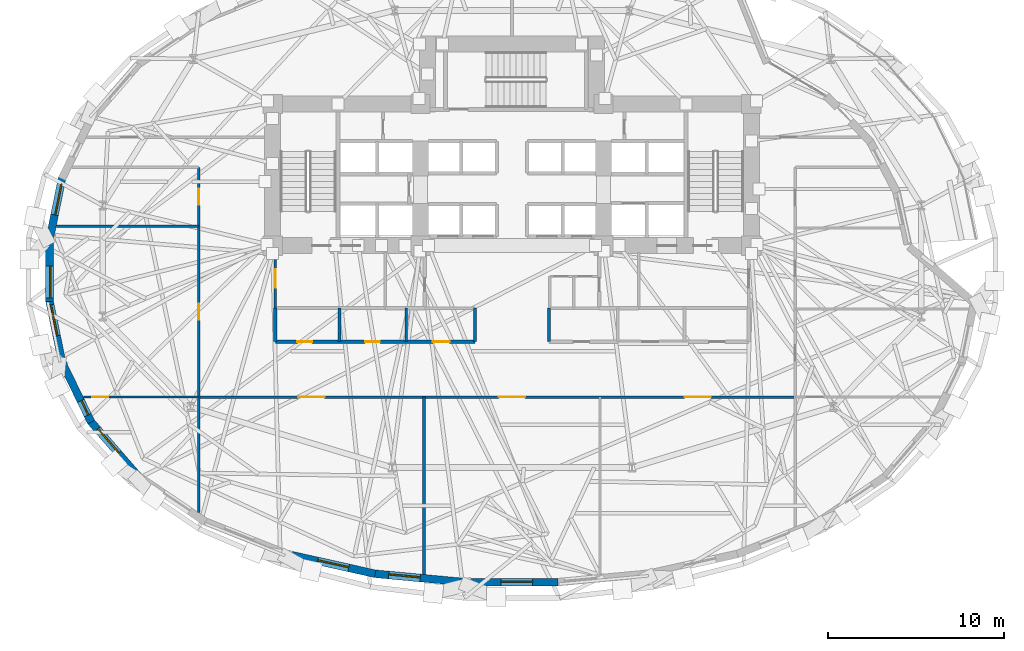
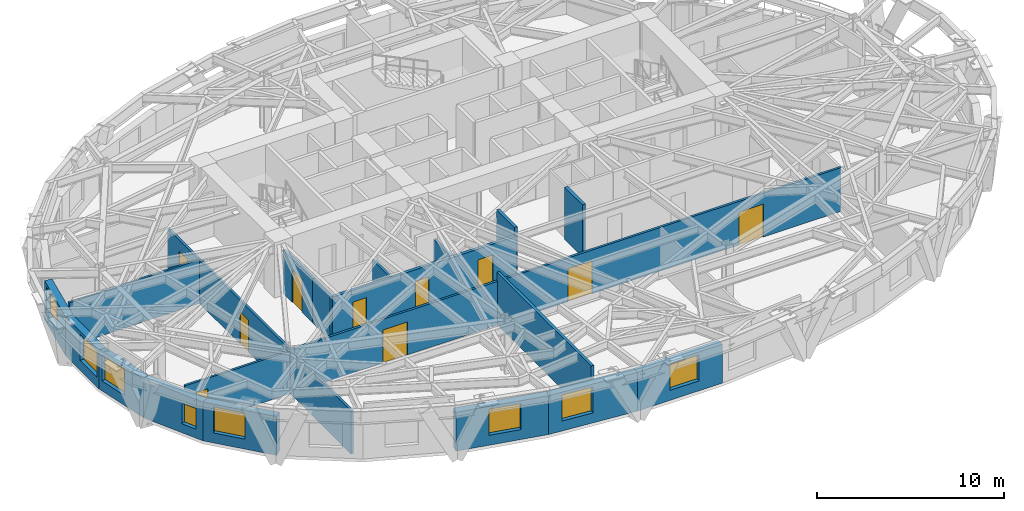
# One storey, part 7 of 15: 20 walls, 10 doors, 8 windows, 18 openings.
"""IFC4 building model written with IfcOpenShell, lengths in metres."""

from ifc_helpers import new_model, si_unit, direction, frame, frame_2d, origin, place, context, subcontext, project, spatial, rectangle, extrude, material, layer, layer_set, type_object, element, fill, save


model = new_model("IFC4")

# Units and contexts
model_context = context("Model", 3, precision=1e-05, world=origin(), true_north=direction((0.0, 1.0)))
body_context = subcontext(model_context, "Body", "Model", "MODEL_VIEW")
ifc_project = project(units=[si_unit("LENGTHUNIT", "METRE"), si_unit("AREAUNIT", "SQUARE_METRE"), si_unit("VOLUMEUNIT", "CUBIC_METRE"), si_unit("PLANEANGLEUNIT", "RADIAN"), si_unit("MASSUNIT", "GRAM", prefix="KILO")], contexts=[model_context])

# Site, building, storey
site_placement = place(None, origin())
site = spatial("IfcSite", under=ifc_project, at=site_placement, CompositionType="ELEMENT")
building_placement = place(site_placement, origin())
building = spatial("IfcBuilding", under=site, at=building_placement, Name="Keldmark Tower", CompositionType="ELEMENT")
storey_placement = place(building_placement, frame((0.0, 0.0, 37.800048828125)))
storey = spatial("IfcBuildingStorey", under=building, at=storey_placement, Name="L09", CompositionType="ELEMENT", Elevation=37.800048828125)

# Wall, openings, doors
ifc_material_1 = material(Name="Acoustic Double-Layer Gypsum Corridor Partition", Category="gypsum")
ifc_layer_1 = layer(ifc_material_1, 0.139892578125)
ifc_layer_set_1 = layer_set([ifc_layer_1], Name="Acoustic Double-Layer Gypsum Corridor Partition")
wall_type_1 = type_object("IfcWallType", Name="Acoustic Corridor Partition 140 mm", PredefinedType="PARTITIONING", material=ifc_layer_set_1)
wall_1_placement = place(storey_placement, frame((-17.800048828125, -7.199951171875, 0.0), z_axis=(0.0, 0.0, 1.0), x_axis=(1.0, 0.0, 0.0)))
wall_1 = element("IfcWall", 1, at=wall_1_placement, inside=storey, type_object=wall_type_1, Name="L09 Acoustic Corridor Partition 140 mm COR-S", PredefinedType="PARTITIONING", context=body_context, shape_type="SweptSolid", body=[
    extrude(rectangle(XDim=33.900146484375, YDim=0.139892578125, at=frame_2d((16.9501953125, 0.0))), origin(), (0.0, 0.0, 1.0), 2.85302734375),
])
opening_1_placement = place(wall_1_placement, frame((5.64990234375, 0.0, 0.0)))
opening_1 = element("IfcOpeningElement", 2, at=opening_1_placement, cuts=wall_1, Name="Opening D-CF150", PredefinedType="OPENING", context=body_context, shape_type="SweptSolid", body=[
    extrude(rectangle(XDim=1.5, YDim=2.14990234375, at=frame_2d((0.75, 1.074951171875))), frame((0.0, 0.079833984375, 0.0), z_axis=(0.0, -1.0, 0.0), x_axis=(1.0, 0.0, 0.0)), (0.0, 0.0, 1.0), 0.159912109375),
])
opening_2_placement = place(wall_1_placement, frame((17.050048828125, 0.0, 0.0)))
opening_2 = element("IfcOpeningElement", 3, at=opening_2_placement, cuts=wall_1, Name="Opening D-CF150", PredefinedType="OPENING", context=body_context, shape_type="SweptSolid", body=[
    extrude(rectangle(XDim=1.5, YDim=2.14990234375, at=frame_2d((0.75, 1.074951171875))), frame((0.0, 0.079833984375, 0.0), z_axis=(0.0, -1.0, 0.0), x_axis=(1.0, 0.0, 0.0)), (0.0, 0.0, 1.0), 0.159912109375),
])
opening_3_placement = place(wall_1_placement, frame((27.60009765625, 0.0, 0.0)))
opening_3 = element("IfcOpeningElement", 4, at=opening_3_placement, cuts=wall_1, Name="Opening D-CF150", PredefinedType="OPENING", context=body_context, shape_type="SweptSolid", body=[
    extrude(rectangle(XDim=1.5, YDim=2.14990234375, at=frame_2d((0.75, 1.074951171875))), frame((0.0, 0.079833984375, 0.0), z_axis=(0.0, -1.0, 0.0), x_axis=(1.0, 0.0, 0.0)), (0.0, 0.0, 1.0), 0.159912109375),
])
ifc_material_2 = material(Name="Acoustic Timber and Tempered Glass Double Door", Category="wood")
door_type_1 = type_object("IfcDoorType", Name="Conference Double Door 1500x2150", OperationType="DOUBLE_DOOR_SINGLE_SWING", PredefinedType="DOOR", material=ifc_material_2)
door_1_placement = place(opening_1_placement, origin())
door_1 = element("IfcDoor", 5, at=door_1_placement, inside=storey, type_object=door_type_1, Name="L09 Conference Double Door 1500x2150 D-SR-1-L09", OperationType="DOUBLE_DOOR_SINGLE_SWING", OverallHeight=2.14990234375, OverallWidth=1.5, PredefinedType="DOOR", context=body_context, shape_type="SweptSolid", body=[
    extrude(rectangle(XDim=1.5, YDim=2.14990234375, at=frame_2d((0.75, 1.074951171875))), frame((0.0, 0.02490234375, 0.0), z_axis=(0.0, -1.0, 0.0), x_axis=(1.0, 0.0, 0.0)), (0.0, 0.0, 1.0), 0.050048828125),
])
fill(opening_1, door_1)
door_2_placement = place(opening_2_placement, origin())
door_2 = element("IfcDoor", 6, at=door_2_placement, inside=storey, type_object=door_type_1, Name="L09 Conference Double Door 1500x2150 D-SR-2-L09", OperationType="DOUBLE_DOOR_SINGLE_SWING", OverallHeight=2.14990234375, OverallWidth=1.5, PredefinedType="DOOR", context=body_context, shape_type="SweptSolid", body=[
    extrude(rectangle(XDim=1.5, YDim=2.14990234375, at=frame_2d((0.75, 1.074951171875))), frame((0.0, 0.02490234375, 0.0), z_axis=(0.0, -1.0, 0.0), x_axis=(1.0, 0.0, 0.0)), (0.0, 0.0, 1.0), 0.050048828125),
])
fill(opening_2, door_2)
door_3_placement = place(opening_3_placement, origin())
door_3 = element("IfcDoor", 7, at=door_3_placement, inside=storey, type_object=door_type_1, Name="L09 Conference Double Door 1500x2150 D-SR-3-L09", OperationType="DOUBLE_DOOR_SINGLE_SWING", OverallHeight=2.14990234375, OverallWidth=1.5, PredefinedType="DOOR", context=body_context, shape_type="SweptSolid", body=[
    extrude(rectangle(XDim=1.5, YDim=2.14990234375, at=frame_2d((0.75, 1.074951171875))), frame((0.0, 0.02490234375, 0.0), z_axis=(0.0, -1.0, 0.0), x_axis=(1.0, 0.0, 0.0)), (0.0, 0.0, 1.0), 0.050048828125),
])
fill(opening_3, door_3)

wall_2_placement = place(storey_placement, frame((-17.800048828125, -13.75732421875, 0.0), z_axis=(0.0, 0.0, 1.0), x_axis=(0.0, 1.0, 0.0)))
wall_2 = element("IfcWall", 8, at=wall_2_placement, inside=storey, type_object=wall_type_1, Name="L09 Acoustic Corridor Partition 140 mm COR-W", PredefinedType="PARTITIONING", context=body_context, shape_type="SweptSolid", body=[
    extrude(rectangle(XDim=19.607421875, YDim=0.139892578125, at=frame_2d((9.8037109375, 0.0))), origin(), (0.0, 0.0, 1.0), 2.841064453125),
])
opening_4_placement = place(wall_2_placement, frame((10.957763671875, 0.0, 0.0)))
opening_4 = element("IfcOpeningElement", 9, at=opening_4_placement, cuts=wall_2, Name="Opening D-IN090", PredefinedType="OPENING", context=body_context, shape_type="SweptSolid", body=[
    extrude(rectangle(XDim=0.89990234375, YDim=2.10009765625, at=frame_2d((0.449951171875, 1.050048828125))), frame((0.0, 0.079833984375, 0.0), z_axis=(0.0, -1.0, 0.0), x_axis=(1.0, 0.0, 0.0)), (0.0, 0.0, 1.0), 0.159912109375),
])
opening_5_placement = place(wall_2_placement, frame((17.482666015625, 0.0, 0.0)))
opening_5 = element("IfcOpeningElement", 10, at=opening_5_placement, cuts=wall_2, Name="Opening D-IN090", PredefinedType="OPENING", context=body_context, shape_type="SweptSolid", body=[
    extrude(rectangle(XDim=0.89990234375, YDim=2.10009765625, at=frame_2d((0.449951171875, 1.050048828125))), frame((0.0, 0.079833984375, 0.0), z_axis=(0.0, -1.0, 0.0), x_axis=(1.0, 0.0, 0.0)), (0.0, 0.0, 1.0), 0.159912109375),
])
ifc_material_3 = material(Name="Stained American White Oak Veneer", Category="wood")
door_type_2 = type_object("IfcDoorType", Name="Interior Door 900x2100", OperationType="NOTDEFINED", PredefinedType="DOOR", material=ifc_material_3)
door_4_placement = place(opening_4_placement, origin())
door_4 = element("IfcDoor", 11, at=door_4_placement, inside=storey, type_object=door_type_2, Name="L09 Interior Door 900x2100 D-WR-1-L09", OperationType="SINGLE_SWING_LEFT", OverallHeight=2.10009765625, OverallWidth=0.89990234375, PredefinedType="DOOR", context=body_context, shape_type="SweptSolid", body=[
    extrude(rectangle(XDim=0.89990234375, YDim=2.10009765625, at=frame_2d((0.449951171875, 1.050048828125))), frame((0.0, 0.02490234375, 0.0), z_axis=(0.0, -1.0, 0.0), x_axis=(1.0, 0.0, 0.0)), (0.0, 0.0, 1.0), 0.050048828125),
])
fill(opening_4, door_4)
door_5_placement = place(opening_5_placement, origin())
door_5 = element("IfcDoor", 12, at=door_5_placement, inside=storey, type_object=door_type_2, Name="L09 Interior Door 900x2100 D-WR-2-L09", OperationType="SINGLE_SWING_RIGHT", OverallHeight=2.10009765625, OverallWidth=0.89990234375, PredefinedType="DOOR", context=body_context, shape_type="SweptSolid", body=[
    extrude(rectangle(XDim=0.89990234375, YDim=2.10009765625, at=frame_2d((0.449951171875, 1.050048828125))), frame((0.0, 0.02490234375, 0.0), z_axis=(0.0, -1.0, 0.0), x_axis=(1.0, 0.0, 0.0)), (0.0, 0.0, 1.0), 0.050048828125),
])
fill(opening_5, door_5)

# Wall
ifc_material_4 = material(Name="STC-58 Insulated Tenant Demising Gypsum Partition", Category="gypsum")
ifc_layer_2 = layer(ifc_material_4, 0.175048828125)
ifc_layer_set_2 = layer_set([ifc_layer_2], Name="STC-58 Insulated Tenant Demising Gypsum Partition")
wall_type_2 = type_object("IfcWallType", Name="Demising Suite Partition 175 mm", PredefinedType="PARTITIONING", material=ifc_layer_set_2)
wall_3_placement = place(storey_placement, frame((-5.0, -17.2734375, 0.0), z_axis=(0.0, 0.0, 1.0), x_axis=(0.0, 1.0, 0.0)))
element("IfcWall", 13, at=wall_3_placement, inside=storey, type_object=wall_type_2, Name="L09 Demising Suite Partition 175 mm S-DIV-1", PredefinedType="PARTITIONING", context=body_context, shape_type="SweptSolid", body=[
    extrude(rectangle(XDim=10.073486328125, YDim=0.175048828125, at=frame_2d((5.03662109375, 0.0))), origin(), (0.0, 0.0, 1.0), 3.39990234375),
])

# Wall, openings, doors
ifc_material_5 = material(Name="Heavy Acoustic Plumbing Chase Gypsum Assembly", Category="gypsum")
ifc_layer_3 = layer(ifc_material_5, 0.18994140625)
ifc_layer_set_3 = layer_set([ifc_layer_3], Name="Heavy Acoustic Plumbing Chase Gypsum Assembly")
wall_type_3 = type_object("IfcWallType", Name="Heavy Wet Wall 190 mm", PredefinedType="PLUMBINGWALL", material=ifc_layer_set_3)
wall_4_placement = place(storey_placement, frame((-13.449951171875, -4.050048828125, 0.0), z_axis=(0.0, 0.0, 1.0), x_axis=(1.0, 0.0, 0.0)))
wall_4 = element("IfcWall", 14, at=wall_4_placement, inside=storey, type_object=wall_type_3, Name="L09 Heavy Wet Wall 190 mm SPK-W-S", PredefinedType="PLUMBINGWALL", context=body_context, shape_type="SweptSolid", body=[
    extrude(rectangle(XDim=11.349853515625, YDim=0.18994140625, at=frame_2d((5.6748046875, 0.0))), origin(), (0.0, 0.0, 1.0), 2.85302734375),
])
opening_6_placement = place(wall_4_placement, frame((1.25, 0.0, 0.0)))
opening_6 = element("IfcOpeningElement", 15, at=opening_6_placement, cuts=wall_4, Name="Opening D-WC085", PredefinedType="OPENING", context=body_context, shape_type="SweptSolid", body=[
    extrude(rectangle(XDim=0.85009765625, YDim=2.10009765625, at=frame_2d((0.425048828125, 1.050048828125))), frame((0.0, 0.10498046875, 0.0), z_axis=(0.0, -1.0, 0.0), x_axis=(1.0, 0.0, 0.0)), (0.0, 0.0, 1.0), 0.2099609375),
])
opening_7_placement = place(wall_4_placement, frame((5.10009765625, 0.0, 0.0)))
opening_7 = element("IfcOpeningElement", 16, at=opening_7_placement, cuts=wall_4, Name="Opening D-WC085", PredefinedType="OPENING", context=body_context, shape_type="SweptSolid", body=[
    extrude(rectangle(XDim=0.85009765625, YDim=2.10009765625, at=frame_2d((0.425048828125, 1.050048828125))), frame((0.0, 0.10498046875, 0.0), z_axis=(0.0, -1.0, 0.0), x_axis=(1.0, 0.0, 0.0)), (0.0, 0.0, 1.0), 0.2099609375),
])
opening_8_placement = place(wall_4_placement, frame((8.949951171875, 0.0, 0.0)))
opening_8 = element("IfcOpeningElement", 17, at=opening_8_placement, cuts=wall_4, Name="Opening D-AWC95", PredefinedType="OPENING", context=body_context, shape_type="SweptSolid", body=[
    extrude(rectangle(XDim=0.949951171875, YDim=2.14990234375, at=frame_2d((0.47509765625, 1.074951171875))), frame((0.0, 0.10498046875, 0.0), z_axis=(0.0, -1.0, 0.0), x_axis=(1.0, 0.0, 0.0)), (0.0, 0.0, 1.0), 0.2099609375),
])
ifc_material_6 = material(Name="Painted Solid-Core Architectural Wood", Category="wood")
door_type_3 = type_object("IfcDoorType", Name="Accessible WC Door 950x2150", OperationType="NOTDEFINED", PredefinedType="DOOR", material=ifc_material_6)
door_6_placement = place(opening_8_placement, origin())
door_6 = element("IfcDoor", 18, at=door_6_placement, inside=storey, type_object=door_type_3, Name="L09 Accessible WC Door 950x2150 D-SPKW3-L09", OperationType="SINGLE_SWING_LEFT", OverallHeight=2.14990234375, OverallWidth=0.949951171875, PredefinedType="DOOR", context=body_context, shape_type="SweptSolid", body=[
    extrude(rectangle(XDim=0.949951171875, YDim=2.14990234375, at=frame_2d((0.47509765625, 1.074951171875))), frame((0.0, 0.02490234375, 0.0), z_axis=(0.0, -1.0, 0.0), x_axis=(1.0, 0.0, 0.0)), (0.0, 0.0, 1.0), 0.050048828125),
])
fill(opening_8, door_6)
ifc_material_7 = material(Name="Moisture-Sealed Painted Wood", Category="wood")
door_type_4 = type_object("IfcDoorType", Name="WC Door 850x2100", OperationType="NOTDEFINED", PredefinedType="DOOR", material=ifc_material_7)
door_7_placement = place(opening_6_placement, origin())
door_7 = element("IfcDoor", 19, at=door_7_placement, inside=storey, type_object=door_type_4, Name="L09 WC Door 850x2100 D-SPKW1-L09", OperationType="SINGLE_SWING_LEFT", OverallHeight=2.10009765625, OverallWidth=0.85009765625, PredefinedType="DOOR", context=body_context, shape_type="SweptSolid", body=[
    extrude(rectangle(XDim=0.85009765625, YDim=2.10009765625, at=frame_2d((0.425048828125, 1.050048828125))), frame((0.0, 0.02490234375, 0.0), z_axis=(0.0, -1.0, 0.0), x_axis=(1.0, 0.0, 0.0)), (0.0, 0.0, 1.0), 0.050048828125),
])
fill(opening_6, door_7)
door_8_placement = place(opening_7_placement, origin())
door_8 = element("IfcDoor", 20, at=door_8_placement, inside=storey, type_object=door_type_4, Name="L09 WC Door 850x2100 D-SPKW2-L09", OperationType="SINGLE_SWING_RIGHT", OverallHeight=2.10009765625, OverallWidth=0.85009765625, PredefinedType="DOOR", context=body_context, shape_type="SweptSolid", body=[
    extrude(rectangle(XDim=0.85009765625, YDim=2.10009765625, at=frame_2d((0.425048828125, 1.050048828125))), frame((0.0, 0.02490234375, 0.0), z_axis=(0.0, -1.0, 0.0), x_axis=(1.0, 0.0, 0.0)), (0.0, 0.0, 1.0), 0.050048828125),
])
fill(opening_7, door_8)

# Walls
wall_5_placement = place(storey_placement, frame((-13.449951171875, -4.050048828125, 0.0), z_axis=(0.0, 0.0, 1.0), x_axis=(0.0, 1.0, 0.0)))
element("IfcWall", 21, at=wall_5_placement, inside=storey, type_object=wall_type_3, Name="L09 Heavy Wet Wall 190 mm SPK-W-W", PredefinedType="PLUMBINGWALL", context=body_context, shape_type="SweptSolid", body=[
    extrude(rectangle(XDim=1.900146484375, YDim=0.18994140625, at=frame_2d((0.9501953125, 0.0))), origin(), (0.0, 0.0, 1.0), 2.85302734375),
])
for number, where, z_axis, x_axis, name in (
    (22, (-2.10009765625, -4.050048828125, 0.0), (0.0, 0.0, 1.0), (0.0, 1.0, 0.0), "L09 Heavy Wet Wall 190 mm SPK-W-E"),
    (23, (2.10009765625, -4.050048828125, 0.0), (0.0, 0.0, 1.0), (0.0, 1.0, 0.0), "L09 Heavy Wet Wall 190 mm SPK-E-W"),
):
    element("IfcWall", number, at=place(storey_placement, frame(where, z_axis=z_axis, x_axis=x_axis)), inside=storey, type_object=wall_type_3, Name=name, PredefinedType="PLUMBINGWALL", context=body_context, shape_type="SweptSolid", body=[
        extrude(rectangle(XDim=1.900146484375, YDim=0.18994140625, at=frame_2d((0.9501953125, 0.0))), origin(), (0.0, 0.0, 1.0), 3.39990234375),
    ])

# Wall, opening, door
ifc_material_8 = material(Name="Acoustic Gypsum Board Interior Partition", Category="gypsum")
ifc_layer_4 = layer(ifc_material_8, 0.1298828125)
ifc_layer_set_4 = layer_set([ifc_layer_4], Name="Acoustic Gypsum Board Interior Partition")
wall_type_4 = type_object("IfcWallType", Name="Interior Partition 130 mm", PredefinedType="PARTITIONING", material=ifc_layer_set_4)
wall_6_placement = place(storey_placement, frame((-24.351318359375, -7.199951171875, 0.0), z_axis=(0.0, 0.0, 1.0), x_axis=(1.0, 0.0, 0.0)))
wall_6 = element("IfcWall", 24, at=wall_6_placement, inside=storey, type_object=wall_type_4, Name="L09 Interior Partition 130 mm W-CAP-S", PredefinedType="PARTITIONING", context=body_context, shape_type="SweptSolid", body=[
    extrude(rectangle(XDim=6.55126953125, YDim=0.1298828125, at=frame_2d((3.275634765625, 0.0))), origin(), (0.0, 0.0, 1.0), 2.779052734375),
])
opening_9_placement = place(wall_6_placement, frame((0.510009765625, 0.0, 0.0)))
opening_9 = element("IfcOpeningElement", 25, at=opening_9_placement, cuts=wall_6, Name="Opening D-IN090", PredefinedType="OPENING", context=body_context, shape_type="SweptSolid", body=[
    extrude(rectangle(XDim=0.89990234375, YDim=2.10009765625, at=frame_2d((0.449951171875, 1.050048828125))), frame((0.0, 0.074951171875, 0.0), z_axis=(0.0, -1.0, 0.0), x_axis=(1.0, 0.0, 0.0)), (0.0, 0.0, 1.0), 0.14990234375),
])
door_9_placement = place(opening_9_placement, origin())
door_9 = element("IfcDoor", 26, at=door_9_placement, inside=storey, type_object=door_type_2, Name="L09 Interior Door 900x2100 D-WRSW-L09", OperationType="SINGLE_SWING_LEFT", OverallHeight=2.10009765625, OverallWidth=0.89990234375, PredefinedType="DOOR", context=body_context, shape_type="SweptSolid", body=[
    extrude(rectangle(XDim=0.89990234375, YDim=2.10009765625, at=frame_2d((0.449951171875, 1.050048828125))), frame((0.0, 0.02490234375, 0.0), z_axis=(0.0, -1.0, 0.0), x_axis=(1.0, 0.0, 0.0)), (0.0, 0.0, 1.0), 0.050048828125),
])
fill(opening_9, door_9)

# Wall
wall_7_placement = place(storey_placement, frame((-25.888671875, 2.5, 0.0), z_axis=(0.0, 0.0, 1.0), x_axis=(1.0, 0.0, 0.0)))
element("IfcWall", 27, at=wall_7_placement, inside=storey, type_object=wall_type_4, Name="L09 Interior Partition 130 mm W-DIV-1", PredefinedType="PARTITIONING", context=body_context, shape_type="SweptSolid", body=[
    extrude(rectangle(XDim=8.088623046875, YDim=0.1298828125, at=frame_2d((4.04443359375, 0.0))), origin(), (0.0, 0.0, 1.0), 2.841064453125),
])

# Wall, opening, door
ifc_material_9 = material(Name="Type X Fire-Rated Gypsum Partition Assembly", Category="gypsum")
ifc_layer_5 = layer(ifc_material_9, 0.1650390625)
ifc_layer_set_5 = layer_set([ifc_layer_5], Name="Type X Fire-Rated Gypsum Partition Assembly")
wall_type_5 = type_object("IfcWallType", Name="Rated Partition 165 mm", PredefinedType="PARTITIONING", material=ifc_layer_set_5)
wall_8_placement = place(storey_placement, frame((-13.449951171875, -2.14990234375, 0.0), z_axis=(0.0, 0.0, 1.0), x_axis=(0.0, 1.0, 0.0)))
wall_8 = element("IfcWall", 28, at=wall_8_placement, inside=storey, type_object=wall_type_5, Name="L09 Rated Partition 165 mm FSAE-W-W", PredefinedType="PARTITIONING", context=body_context, shape_type="SweptSolid", body=[
    extrude(rectangle(XDim=3.14990234375, YDim=0.1650390625, at=frame_2d((1.574951171875, 0.0))), origin(), (0.0, 0.0, 1.0), 2.85302734375),
])
opening_10_placement = place(wall_8_placement, frame((1.14990234375, 0.0, 0.0)))
opening_10 = element("IfcOpeningElement", 29, at=opening_10_placement, cuts=wall_8, Name="Opening D-FL105", PredefinedType="OPENING", context=body_context, shape_type="SweptSolid", body=[
    extrude(rectangle(XDim=1.050048828125, YDim=2.14990234375, at=frame_2d((0.52490234375, 1.074951171875))), frame((0.0, 0.092529296875, 0.0), z_axis=(0.0, -1.0, 0.0), x_axis=(1.0, 0.0, 0.0)), (0.0, 0.0, 1.0), 0.18505859375),
])
ifc_material_10 = material(Name="Fire-Rated Mineral-Core Door and Vision Lite", Category="metal")
door_type_5 = type_object("IfcDoorType", Name="Fire Lobby Door 1050x2150", OperationType="NOTDEFINED", PredefinedType="DOOR", material=ifc_material_10)
door_10_placement = place(opening_10_placement, origin())
door_10 = element("IfcDoor", 30, at=door_10_placement, inside=storey, type_object=door_type_5, Name="L09 Fire Lobby Door 1050x2150 D-FSAEW-OUT-L09", OperationType="SINGLE_SWING_LEFT", OverallHeight=2.14990234375, OverallWidth=1.050048828125, PredefinedType="DOOR", context=body_context, shape_type="SweptSolid", body=[
    extrude(rectangle(XDim=1.050048828125, YDim=2.14990234375, at=frame_2d((0.52490234375, 1.074951171875))), frame((0.0, 0.02490234375, 0.0), z_axis=(0.0, -1.0, 0.0), x_axis=(1.0, 0.0, 0.0)), (0.0, 0.0, 1.0), 0.050048828125),
])
fill(opening_10, door_10)

# Wall, opening, window
ifc_material_11 = material(Name="Ironspot Manganese Brick and Kasota Buff Limestone Spandrel Assembly", Category="masonry")
ifc_layer_6 = layer(ifc_material_11, 0.43994140625)
ifc_layer_set_6 = layer_set([ifc_layer_6], Name="Ironspot Manganese Brick and Kasota Buff Limestone Spandrel Assembly")
wall_type_6 = type_object("IfcWallType", Name="Tower Brick Pier and Spandrel Wall 440 mm", PredefinedType="STANDARD", material=ifc_layer_set_6)
wall_9_placement = place(storey_placement, frame((-26.27978515625, 1.7236328125, 0.0), z_axis=(0.0, 0.0, 1.0), x_axis=(0.199856409009, 0.979825196542, 0.0)))
wall_9 = element("IfcWall", 31, at=wall_9_placement, inside=storey, type_object=wall_type_6, Name="L09 Exterior Brick and Spandrel Wall 15", PredefinedType="STANDARD", context=body_context, shape_type="SweptSolid", body=[
    extrude(rectangle(XDim=3.601318359375, YDim=0.43994140625, at=frame_2d((1.80078125, 0.0))), origin(), (0.0, 0.0, 1.0), 2.532958984375),
])
opening_11_placement = place(wall_9_placement, frame((1.456298828125, 0.0, 0.64990234375)))
opening_11 = element("IfcOpeningElement", 32, at=opening_11_placement, cuts=wall_9, Name="Opening W-02", PredefinedType="OPENING", context=body_context, shape_type="SweptSolid", body=[
    extrude(rectangle(XDim=1.800048828125, YDim=1.699951171875, at=frame_2d((0.89990234375, 0.85009765625))), frame((0.0, 0.22998046875, 0.0), z_axis=(0.0, -1.0, 0.0), x_axis=(1.0, 0.0, 0.0)), (0.0, 0.0, 1.0), 0.4599609375),
])
ifc_material_12 = material(Name="Thermally Broken Anodized Aluminum and Triple Low-E Argon Glazing", Category="aluminium")
window_type_1 = type_object("IfcWindowType", Name="Office Deep-Set Triple Window 1800x1700", PartitioningType="TRIPLE_PANEL_VERTICAL", PredefinedType="WINDOW", material=ifc_material_12)
window_1_placement = place(opening_11_placement, origin())
window_1 = element("IfcWindow", 33, at=window_1_placement, inside=storey, type_object=window_type_1, Name="L09 Deep-Set Window 15", OverallHeight=1.699951171875, OverallWidth=1.800048828125, PartitioningType="SINGLE_PANEL", PredefinedType="WINDOW", context=body_context, shape_type="SweptSolid", body=[
    extrude(rectangle(XDim=1.800048828125, YDim=1.699951171875, at=frame_2d((0.89990234375, 0.85009765625))), frame((0.0, -0.010009765625, 0.0), z_axis=(0.0, -1.0, 0.0), x_axis=(1.0, 0.0, 0.0)), (0.0, 0.0, 1.0), 0.06005859375),
])
fill(opening_11, window_1)

wall_10_placement = place(storey_placement, frame((-26.275390625, -1.767578125, 0.0), z_axis=(0.0, 0.0, 1.0), x_axis=(0.0, 1.0, 0.0)))
wall_10 = element("IfcWall", 34, at=wall_10_placement, inside=storey, type_object=wall_type_6, Name="L09 Exterior Brick and Spandrel Wall 16", PredefinedType="STANDARD", context=body_context, shape_type="SweptSolid", body=[
    extrude(rectangle(XDim=3.53515625, YDim=0.43994140625, at=frame_2d((1.767578125, 0.0))), origin(), (0.0, 0.0, 1.0), 2.532958984375),
])
opening_12_placement = place(wall_10_placement, frame((0.199951171875, 0.0, 0.64990234375)))
opening_12 = element("IfcOpeningElement", 35, at=opening_12_placement, cuts=wall_10, Name="Opening W-02", PredefinedType="OPENING", context=body_context, shape_type="SweptSolid", body=[
    extrude(rectangle(XDim=1.800048828125, YDim=1.699951171875, at=frame_2d((0.89990234375, 0.85009765625))), frame((0.0, 0.22998046875, 0.0), z_axis=(0.0, -1.0, 0.0), x_axis=(1.0, 0.0, 0.0)), (0.0, 0.0, 1.0), 0.4599609375),
])
window_2_placement = place(opening_12_placement, origin())
window_2 = element("IfcWindow", 36, at=window_2_placement, inside=storey, type_object=window_type_1, Name="L09 Deep-Set Window 16", OverallHeight=1.699951171875, OverallWidth=1.800048828125, PartitioningType="SINGLE_PANEL", PredefinedType="WINDOW", context=body_context, shape_type="SweptSolid", body=[
    extrude(rectangle(XDim=1.800048828125, YDim=1.699951171875, at=frame_2d((0.89990234375, 0.85009765625))), frame((0.0, -0.010009765625, 0.0), z_axis=(0.0, -1.0, 0.0), x_axis=(1.0, 0.0, 0.0)), (0.0, 0.0, 1.0), 0.06005859375),
])
fill(opening_12, window_2)

wall_11_placement = place(storey_placement, frame((-25.56005859375, -5.252197265625, 0.0), z_axis=(0.0, 0.0, 1.0), x_axis=(-0.199856409009, 0.979825196542, 0.0)))
wall_11 = element("IfcWall", 37, at=wall_11_placement, inside=storey, type_object=wall_type_6, Name="L09 Exterior Brick and Spandrel Wall 17", PredefinedType="STANDARD", context=body_context, shape_type="SweptSolid", body=[
    extrude(rectangle(XDim=3.601318359375, YDim=0.43994140625, at=frame_2d((1.80078125, 0.0))), origin(), (0.0, 0.0, 1.0), 2.532958984375),
])
opening_13_placement = place(wall_11_placement, frame((1.552978515625, 0.0, 0.64990234375)))
opening_13 = element("IfcOpeningElement", 38, at=opening_13_placement, cuts=wall_11, Name="Opening W-02", PredefinedType="OPENING", context=body_context, shape_type="SweptSolid", body=[
    extrude(rectangle(XDim=1.800048828125, YDim=1.699951171875, at=frame_2d((0.89990234375, 0.85009765625))), frame((0.0, 0.22998046875, 0.0), z_axis=(0.0, -1.0, 0.0), x_axis=(1.0, 0.0, 0.0)), (0.0, 0.0, 1.0), 0.4599609375),
])
window_3_placement = place(opening_13_placement, origin())
window_3 = element("IfcWindow", 39, at=window_3_placement, inside=storey, type_object=window_type_1, Name="L09 Deep-Set Window 17", OverallHeight=1.699951171875, OverallWidth=1.800048828125, PartitioningType="SINGLE_PANEL", PredefinedType="WINDOW", context=body_context, shape_type="SweptSolid", body=[
    extrude(rectangle(XDim=1.800048828125, YDim=1.699951171875, at=frame_2d((0.89990234375, 0.85009765625))), frame((0.0, -0.010009765625, 0.0), z_axis=(0.0, -1.0, 0.0), x_axis=(1.0, 0.0, 0.0)), (0.0, 0.0, 1.0), 0.06005859375),
])
fill(opening_13, window_3)

wall_12_placement = place(storey_placement, frame((-23.908447265625, -8.631591796875, 0.0), z_axis=(0.0, 0.0, 1.0), x_axis=(-0.437488090563, 0.899224204865, 0.0)))
wall_12 = element("IfcWall", 40, at=wall_12_placement, inside=storey, type_object=wall_type_6, Name="L09 Exterior Brick and Spandrel Wall 18", PredefinedType="STANDARD", context=body_context, shape_type="SweptSolid", body=[
    extrude(rectangle(XDim=3.81591796875, YDim=0.43994140625, at=frame_2d((1.907958984375, 0.0))), origin(), (0.0, 0.0, 1.0), 2.532958984375),
])
opening_14_placement = place(wall_12_placement, frame((0.44677734375, 0.0, 0.580078125)))
opening_14 = element("IfcOpeningElement", 41, at=opening_14_placement, cuts=wall_12, Name="Opening W-09", PredefinedType="OPENING", context=body_context, shape_type="SweptSolid", body=[
    extrude(rectangle(XDim=0.89990234375, YDim=1.35009765625, at=frame_2d((0.449951171875, 0.675048828125))), frame((0.0, 0.22998046875, 0.0), z_axis=(0.0, -1.0, 0.0), x_axis=(1.0, 0.0, 0.0)), (0.0, 0.0, 1.0), 0.4599609375),
])
ifc_material_13 = material(Name="Thermally Broken Anodized Aluminum and Triple Low-E Argon Glazing", Category="aluminium")
window_type_2 = type_object("IfcWindowType", Name="Corner Pier Deep-Set Window 900x1350", PartitioningType="SINGLE_PANEL", PredefinedType="WINDOW", material=ifc_material_13)
window_4_placement = place(opening_14_placement, origin())
window_4 = element("IfcWindow", 42, at=window_4_placement, inside=storey, type_object=window_type_2, Name="L09 Deep-Set Window 18", OverallHeight=1.35009765625, OverallWidth=0.89990234375, PartitioningType="SINGLE_PANEL", PredefinedType="WINDOW", context=body_context, shape_type="SweptSolid", body=[
    extrude(rectangle(XDim=0.89990234375, YDim=1.35009765625, at=frame_2d((0.449951171875, 0.675048828125))), frame((0.0, -0.010009765625, 0.0), z_axis=(0.0, -1.0, 0.0), x_axis=(1.0, 0.0, 0.0)), (0.0, 0.0, 1.0), 0.06005859375),
])
fill(opening_14, window_4)

wall_13_placement = place(storey_placement, frame((-21.204345703125, -11.735595703125, 0.0), z_axis=(0.0, 0.0, 1.0), x_axis=(-0.655509370307, 0.755187040037, 0.0)))
wall_13 = element("IfcWall", 43, at=wall_13_placement, inside=storey, type_object=wall_type_6, Name="L09 Exterior Brick and Spandrel Wall 19", PredefinedType="STANDARD", context=body_context, shape_type="SweptSolid", body=[
    extrude(rectangle(XDim=4.173583984375, YDim=0.43994140625, at=frame_2d((2.0869140625, 0.0))), origin(), (0.0, 0.0, 1.0), 2.532958984375),
])
opening_15_placement = place(wall_13_placement, frame((1.779052734375, 0.0, 0.64990234375)))
opening_15 = element("IfcOpeningElement", 44, at=opening_15_placement, cuts=wall_13, Name="Opening W-02", PredefinedType="OPENING", context=body_context, shape_type="SweptSolid", body=[
    extrude(rectangle(XDim=1.800048828125, YDim=1.699951171875, at=frame_2d((0.89990234375, 0.85009765625))), frame((0.0, 0.22998046875, 0.0), z_axis=(0.0, -1.0, 0.0), x_axis=(1.0, 0.0, 0.0)), (0.0, 0.0, 1.0), 0.4599609375),
])
window_5_placement = place(opening_15_placement, origin())
window_5 = element("IfcWindow", 45, at=window_5_placement, inside=storey, type_object=window_type_1, Name="L09 Deep-Set Window 19", OverallHeight=1.699951171875, OverallWidth=1.800048828125, PartitioningType="SINGLE_PANEL", PredefinedType="WINDOW", context=body_context, shape_type="SweptSolid", body=[
    extrude(rectangle(XDim=1.800048828125, YDim=1.699951171875, at=frame_2d((0.89990234375, 0.85009765625))), frame((0.0, -0.010009765625, 0.0), z_axis=(0.0, -1.0, 0.0), x_axis=(1.0, 0.0, 0.0)), (0.0, 0.0, 1.0), 0.06005859375),
])
fill(opening_15, window_5)

wall_14_placement = place(storey_placement, frame((-7.77099609375, -17.244873046875, 0.0), z_axis=(0.0, 0.0, 1.0), x_axis=(-0.975980782399, 0.217856632648, 0.0)))
wall_14 = element("IfcWall", 46, at=wall_14_placement, inside=storey, type_object=wall_type_6, Name="L09 Exterior Brick and Spandrel Wall 22", PredefinedType="STANDARD", context=body_context, shape_type="SweptSolid", body=[
    extrude(rectangle(XDim=5.19091796875, YDim=0.43994140625, at=frame_2d((2.595458984375, 0.0))), origin(), (0.0, 0.0, 1.0), 2.532958984375),
])
opening_16_placement = place(wall_14_placement, frame((1.5458984375, 0.0, 0.64990234375)))
opening_16 = element("IfcOpeningElement", 47, at=opening_16_placement, cuts=wall_14, Name="Opening W-02", PredefinedType="OPENING", context=body_context, shape_type="SweptSolid", body=[
    extrude(rectangle(XDim=1.800048828125, YDim=1.699951171875, at=frame_2d((0.89990234375, 0.85009765625))), frame((0.0, 0.22998046875, 0.0), z_axis=(0.0, -1.0, 0.0), x_axis=(1.0, 0.0, 0.0)), (0.0, 0.0, 1.0), 0.4599609375),
])
window_6_placement = place(opening_16_placement, origin())
window_6 = element("IfcWindow", 48, at=window_6_placement, inside=storey, type_object=window_type_1, Name="L09 Deep-Set Window 22", OverallHeight=1.699951171875, OverallWidth=1.800048828125, PartitioningType="SINGLE_PANEL", PredefinedType="WINDOW", context=body_context, shape_type="SweptSolid", body=[
    extrude(rectangle(XDim=1.800048828125, YDim=1.699951171875, at=frame_2d((0.89990234375, 0.85009765625))), frame((0.0, -0.010009765625, 0.0), z_axis=(0.0, -1.0, 0.0), x_axis=(1.0, 0.0, 0.0)), (0.0, 0.0, 1.0), 0.06005859375),
])
fill(opening_16, window_6)

wall_15_placement = place(storey_placement, frame((-2.589111328125, -17.72802734375, 0.0), z_axis=(0.0, 0.0, 1.0), x_axis=(-0.995649119539, 0.093181708301, 0.0)))
wall_15 = element("IfcWall", 49, at=wall_15_placement, inside=storey, type_object=wall_type_6, Name="L09 Exterior Brick and Spandrel Wall 23", PredefinedType="STANDARD", context=body_context, shape_type="SweptSolid", body=[
    extrude(rectangle(XDim=5.232177734375, YDim=0.43994140625, at=frame_2d((2.6162109375, 0.0))), origin(), (0.0, 0.0, 1.0), 2.532958984375),
])
opening_17_placement = place(wall_15_placement, frame((2.6357421875, 0.0, 0.64990234375)))
opening_17 = element("IfcOpeningElement", 50, at=opening_17_placement, cuts=wall_15, Name="Opening W-02", PredefinedType="OPENING", context=body_context, shape_type="SweptSolid", body=[
    extrude(rectangle(XDim=1.800048828125, YDim=1.699951171875, at=frame_2d((0.89990234375, 0.85009765625))), frame((0.0, 0.22998046875, 0.0), z_axis=(0.0, -1.0, 0.0), x_axis=(1.0, 0.0, 0.0)), (0.0, 0.0, 1.0), 0.4599609375),
])
window_7_placement = place(opening_17_placement, origin())
window_7 = element("IfcWindow", 51, at=window_7_placement, inside=storey, type_object=window_type_1, Name="L09 Deep-Set Window 23", OverallHeight=1.699951171875, OverallWidth=1.800048828125, PartitioningType="SINGLE_PANEL", PredefinedType="WINDOW", context=body_context, shape_type="SweptSolid", body=[
    extrude(rectangle(XDim=1.800048828125, YDim=1.699951171875, at=frame_2d((0.89990234375, 0.85009765625))), frame((0.0, -0.010009765625, 0.0), z_axis=(0.0, -1.0, 0.0), x_axis=(1.0, 0.0, 0.0)), (0.0, 0.0, 1.0), 0.06005859375),
])
fill(opening_17, window_7)

wall_16_placement = place(storey_placement, frame((2.609619140625, -17.72705078125, 0.0), z_axis=(0.0, 0.0, 1.0), x_axis=(-1.0, 0.0, 0.0)))
wall_16 = element("IfcWall", 52, at=wall_16_placement, inside=storey, type_object=wall_type_6, Name="L09 Exterior Brick and Spandrel Wall 24", PredefinedType="STANDARD", context=body_context, shape_type="SweptSolid", body=[
    extrude(rectangle(XDim=5.21923828125, YDim=0.43994140625, at=frame_2d((2.609619140625, 0.0))), origin(), (0.0, 0.0, 1.0), 2.532958984375),
])
opening_18_placement = place(wall_16_placement, frame((1.4375, 0.0, 0.64990234375)))
opening_18 = element("IfcOpeningElement", 53, at=opening_18_placement, cuts=wall_16, Name="Opening W-02", PredefinedType="OPENING", context=body_context, shape_type="SweptSolid", body=[
    extrude(rectangle(XDim=1.800048828125, YDim=1.699951171875, at=frame_2d((0.89990234375, 0.85009765625))), frame((0.0, 0.22998046875, 0.0), z_axis=(0.0, -1.0, 0.0), x_axis=(1.0, 0.0, 0.0)), (0.0, 0.0, 1.0), 0.4599609375),
])
window_8_placement = place(opening_18_placement, origin())
window_8 = element("IfcWindow", 54, at=window_8_placement, inside=storey, type_object=window_type_1, Name="L09 Deep-Set Window 24", OverallHeight=1.699951171875, OverallWidth=1.800048828125, PartitioningType="SINGLE_PANEL", PredefinedType="WINDOW", context=body_context, shape_type="SweptSolid", body=[
    extrude(rectangle(XDim=1.800048828125, YDim=1.699951171875, at=frame_2d((0.89990234375, 0.85009765625))), frame((0.0, -0.010009765625, 0.0), z_axis=(0.0, -1.0, 0.0), x_axis=(1.0, 0.0, 0.0)), (0.0, 0.0, 1.0), 0.06005859375),
])
fill(opening_18, window_8)

# Walls
ifc_material_14 = material(Name="Moisture-Resistant Gypsum Plumbing Partition", Category="gypsum")
ifc_layer_7 = layer(ifc_material_14, 0.14990234375)
ifc_layer_set_7 = layer_set([ifc_layer_7], Name="Moisture-Resistant Gypsum Plumbing Partition")
wall_type_7 = type_object("IfcWallType", Name="Wet Wall 150 mm", PredefinedType="PLUMBINGWALL", material=ifc_layer_set_7)
wall_17_placement = place(storey_placement, frame((-9.800048828125, -4.050048828125, 0.0), z_axis=(0.0, 0.0, 1.0), x_axis=(0.0, 1.0, 0.0)))
element("IfcWall", 55, at=wall_17_placement, inside=storey, type_object=wall_type_7, Name="L09 Wet Wall 150 mm SPK-W-D1", PredefinedType="PLUMBINGWALL", context=body_context, shape_type="SweptSolid", body=[
    extrude(rectangle(XDim=1.900146484375, YDim=0.14990234375, at=frame_2d((0.9501953125, 0.0))), origin(), (0.0, 0.0, 1.0), 2.85302734375),
])
wall_18_placement = place(storey_placement, frame((-6.0, -4.050048828125, 0.0), z_axis=(0.0, 0.0, 1.0), x_axis=(0.0, 1.0, 0.0)))
element("IfcWall", 56, at=wall_18_placement, inside=storey, type_object=wall_type_7, Name="L09 Wet Wall 150 mm SPK-W-D2", PredefinedType="PLUMBINGWALL", context=body_context, shape_type="SweptSolid", body=[
    extrude(rectangle(XDim=1.900146484375, YDim=0.14990234375, at=frame_2d((0.9501953125, 0.0))), origin(), (0.0, 0.0, 1.0), 2.841064453125),
])

save(model, "model.ifc")
